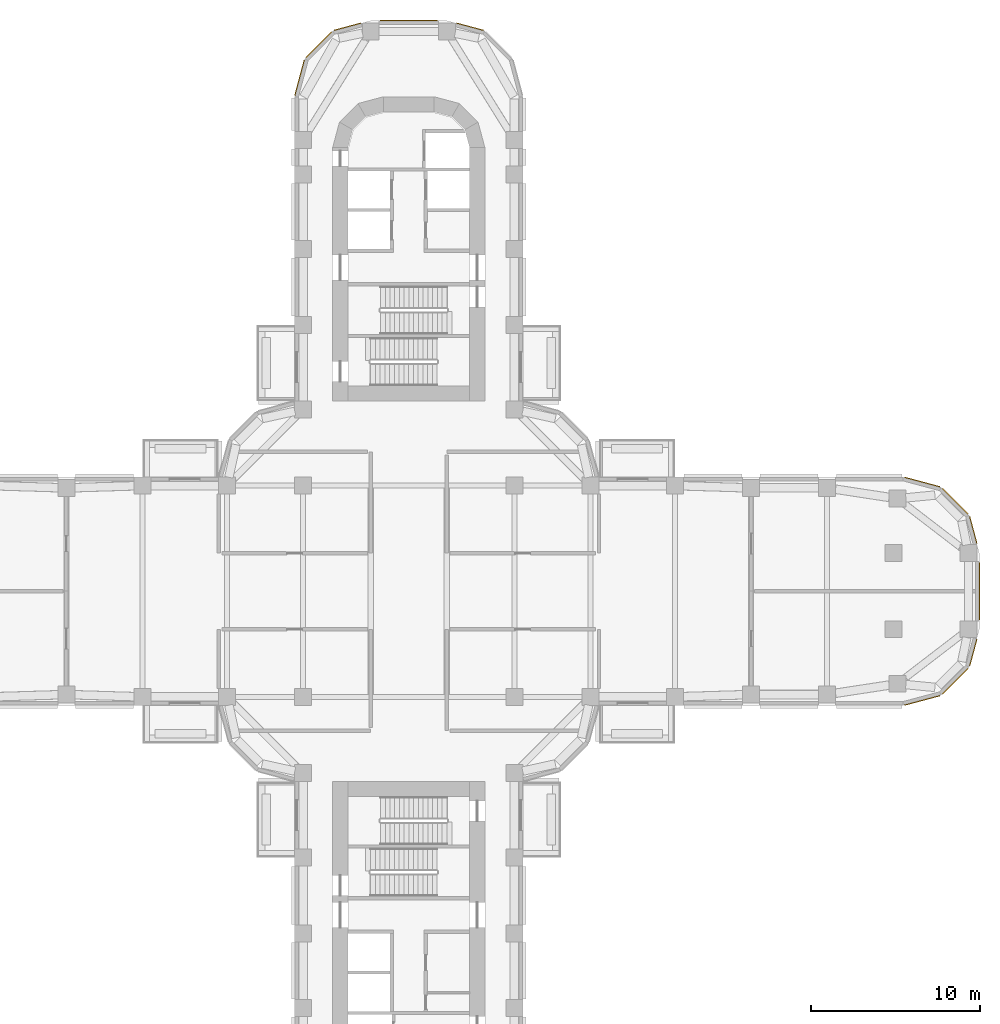
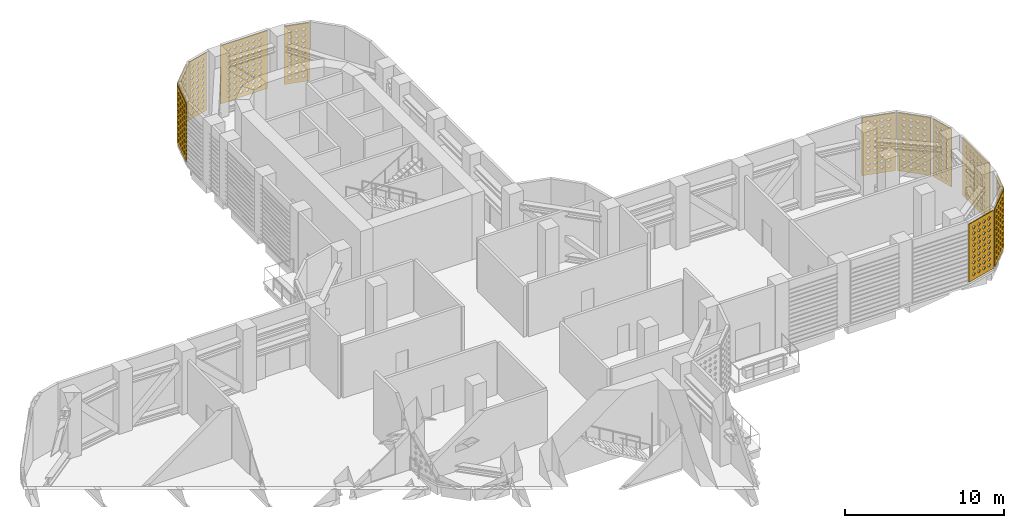
# One storey, part 18 of 20: 12 coverings.
"""IFC4 building model written with IfcOpenShell, lengths in metres."""

from ifc_helpers import new_model, si_unit, direction, frame, origin, place, context, subcontext, project, spatial, polyline, outline, extrude, source, transform, mapped, material, layer, layer_set, type_object, element, save


model = new_model("IFC4")

# Units and contexts
model_context = context("Model", 3, precision=1e-05, world=origin(), true_north=direction((0.0, 1.0)))
body_context = subcontext(model_context, "Body", "Model", "MODEL_VIEW")
ifc_project = project(units=[si_unit("LENGTHUNIT", "METRE"), si_unit("AREAUNIT", "SQUARE_METRE"), si_unit("VOLUMEUNIT", "CUBIC_METRE"), si_unit("PLANEANGLEUNIT", "RADIAN"), si_unit("MASSUNIT", "GRAM", prefix="KILO")], contexts=[model_context])

# Site, building, storey
site_placement = place(None, origin())
site = spatial("IfcSite", under=ifc_project, at=site_placement, CompositionType="ELEMENT")
building_placement = place(site_placement, origin())
building = spatial("IfcBuilding", under=site, at=building_placement, Name="Zarbagh Exchange Tower", CompositionType="ELEMENT")
storey_placement = place(building_placement, frame((0.0, 0.0, 81.60009765625)))
storey = spatial("IfcBuildingStorey", under=building, at=storey_placement, Name="L18", CompositionType="ELEMENT", Elevation=81.60009765625)

# Coverings
ifc_material = material(Name="Glass-fibre reinforced concrete GFRC C50/60", Category="concrete")
ifc_layer = layer(ifc_material, 0.06005859375)
ifc_layer_set = layer_set([ifc_layer], Name="SCREEN jali panel, GFRC")
covering_type = type_object("IfcCoveringType", Name="SCREEN jali panel, GFRC", PredefinedType="CLADDING", material=ifc_layer_set)
shared_shape_1 = source(origin(), body_context, "Body", "SweptSolid", [
    extrude(outline(polyline([(0.0, 0.0), (1.656005859375, 0.0), (1.656005859375, 4.449951171875), (0.0, 4.449951171875), (0.0, 0.0)]), holes=[polyline([(0.22802734375, 0.425048828125), (0.3779296875, 0.27490234375), (0.528076171875, 0.425048828125), (0.3779296875, 0.574951171875), (0.22802734375, 0.425048828125)]), polyline([(0.22802734375, 0.875), (0.3779296875, 0.72509765625), (0.528076171875, 0.875), (0.3779296875, 1.02490234375), (0.22802734375, 0.875)]), polyline([(0.22802734375, 1.324951171875), (0.3779296875, 1.175048828125), (0.528076171875, 1.324951171875), (0.3779296875, 1.47509765625), (0.22802734375, 1.324951171875)]), polyline([(0.22802734375, 1.77490234375), (0.3779296875, 1.625), (0.528076171875, 1.77490234375), (0.3779296875, 1.925048828125), (0.22802734375, 1.77490234375)]), polyline([(0.22802734375, 2.22509765625), (0.3779296875, 2.074951171875), (0.528076171875, 2.22509765625), (0.3779296875, 2.375), (0.22802734375, 2.22509765625)]), polyline([(0.22802734375, 2.675048828125), (0.3779296875, 2.52490234375), (0.528076171875, 2.675048828125), (0.3779296875, 2.824951171875), (0.22802734375, 2.675048828125)]), polyline([(0.22802734375, 3.125), (0.3779296875, 2.97509765625), (0.528076171875, 3.125), (0.3779296875, 3.27490234375), (0.22802734375, 3.125)]), polyline([(0.22802734375, 3.574951171875), (0.3779296875, 3.425048828125), (0.528076171875, 3.574951171875), (0.3779296875, 3.72509765625), (0.22802734375, 3.574951171875)]), polyline([(0.22802734375, 4.02490234375), (0.3779296875, 3.875), (0.528076171875, 4.02490234375), (0.3779296875, 4.175048828125), (0.22802734375, 4.02490234375)]), polyline([(0.677978515625, 0.425048828125), (0.827880859375, 0.27490234375), (0.97802734375, 0.425048828125), (0.827880859375, 0.574951171875), (0.677978515625, 0.425048828125)]), polyline([(0.677978515625, 0.875), (0.827880859375, 0.72509765625), (0.97802734375, 0.875), (0.827880859375, 1.02490234375), (0.677978515625, 0.875)]), polyline([(0.677978515625, 1.324951171875), (0.827880859375, 1.175048828125), (0.97802734375, 1.324951171875), (0.827880859375, 1.47509765625), (0.677978515625, 1.324951171875)]), polyline([(0.677978515625, 1.77490234375), (0.827880859375, 1.625), (0.97802734375, 1.77490234375), (0.827880859375, 1.925048828125), (0.677978515625, 1.77490234375)]), polyline([(0.677978515625, 2.22509765625), (0.827880859375, 2.074951171875), (0.97802734375, 2.22509765625), (0.827880859375, 2.375), (0.677978515625, 2.22509765625)]), polyline([(0.677978515625, 2.675048828125), (0.827880859375, 2.52490234375), (0.97802734375, 2.675048828125), (0.827880859375, 2.824951171875), (0.677978515625, 2.675048828125)]), polyline([(0.677978515625, 3.125), (0.827880859375, 2.97509765625), (0.97802734375, 3.125), (0.827880859375, 3.27490234375), (0.677978515625, 3.125)]), polyline([(0.677978515625, 3.574951171875), (0.827880859375, 3.425048828125), (0.97802734375, 3.574951171875), (0.827880859375, 3.72509765625), (0.677978515625, 3.574951171875)]), polyline([(0.677978515625, 4.02490234375), (0.827880859375, 3.875), (0.97802734375, 4.02490234375), (0.827880859375, 4.175048828125), (0.677978515625, 4.02490234375)]), polyline([(1.1279296875, 0.425048828125), (1.278076171875, 0.27490234375), (1.427978515625, 0.425048828125), (1.278076171875, 0.574951171875), (1.1279296875, 0.425048828125)]), polyline([(1.1279296875, 0.875), (1.278076171875, 0.72509765625), (1.427978515625, 0.875), (1.278076171875, 1.02490234375), (1.1279296875, 0.875)]), polyline([(1.1279296875, 1.324951171875), (1.278076171875, 1.175048828125), (1.427978515625, 1.324951171875), (1.278076171875, 1.47509765625), (1.1279296875, 1.324951171875)]), polyline([(1.1279296875, 1.77490234375), (1.278076171875, 1.625), (1.427978515625, 1.77490234375), (1.278076171875, 1.925048828125), (1.1279296875, 1.77490234375)]), polyline([(1.1279296875, 2.22509765625), (1.278076171875, 2.074951171875), (1.427978515625, 2.22509765625), (1.278076171875, 2.375), (1.1279296875, 2.22509765625)]), polyline([(1.1279296875, 2.675048828125), (1.278076171875, 2.52490234375), (1.427978515625, 2.675048828125), (1.278076171875, 2.824951171875), (1.1279296875, 2.675048828125)]), polyline([(1.1279296875, 3.125), (1.278076171875, 2.97509765625), (1.427978515625, 3.125), (1.278076171875, 3.27490234375), (1.1279296875, 3.125)]), polyline([(1.1279296875, 3.574951171875), (1.278076171875, 3.425048828125), (1.427978515625, 3.574951171875), (1.278076171875, 3.72509765625), (1.1279296875, 3.574951171875)]), polyline([(1.1279296875, 4.02490234375), (1.278076171875, 3.875), (1.427978515625, 4.02490234375), (1.278076171875, 4.175048828125), (1.1279296875, 4.02490234375)])]), origin(), (0.0, 0.0, 1.0), 0.06005859375),
])
placement = place(storey_placement, origin())
element("IfcCovering", 1, at=placement, inside=storey, type_object=covering_type, Name="JS09 jali screen", PredefinedType="CLADDING", context=body_context, shape_type="MappedRepresentation", body=[
    mapped(shared_shape_1, transform((33.14892578125, -4.41552734375, 0.199951171875), x_axis=(0.258825057666, 0.965924215207, 0.0), y_axis=(0.0, 0.0, 1.0), z_axis=(0.965924215207, -0.258825057666, 0.0))),
])
element("IfcCovering", 2, at=placement, inside=storey, type_object=covering_type, Name="JS11 jali screen", PredefinedType="CLADDING", context=body_context, shape_type="MappedRepresentation", body=[
    mapped(shared_shape_1, transform((33.57763671875, 2.81591796875, 0.199951171875), x_axis=(-0.258825057666, 0.965924215207, 0.0), y_axis=(0.0, 0.0, 1.0), z_axis=(0.965924215207, 0.258825057666, 0.0))),
])
element("IfcCovering", 3, at=placement, inside=storey, type_object=covering_type, Name="JS19 jali screen", PredefinedType="CLADDING", context=body_context, shape_type="MappedRepresentation", body=[
    mapped(shared_shape_1, transform((4.41552734375, 33.14892578125, 0.199951171875), x_axis=(-0.965924215207, 0.258825057666, 0.0), y_axis=(0.0, 0.0, 1.0), z_axis=(0.258825057666, 0.965924215207, 0.0))),
])
element("IfcCovering", 4, at=placement, inside=storey, type_object=covering_type, Name="JS21 jali screen", PredefinedType="CLADDING", context=body_context, shape_type="MappedRepresentation", body=[
    mapped(shared_shape_1, transform((-2.81591796875, 33.57763671875, 0.199951171875), x_axis=(-0.965924215207, -0.258825057666, 0.0), y_axis=(0.0, 0.0, 1.0), z_axis=(-0.258825057666, 0.965924215207, 0.0))),
])
shared_shape_2 = source(origin(), body_context, "Body", "SweptSolid", [
    extrude(outline(polyline([(0.0, 0.0), (2.1650390625, 0.0), (2.1650390625, 4.449951171875), (0.0, 4.449951171875), (0.0, 0.0)]), holes=[polyline([(0.257568359375, 0.425048828125), (0.407470703125, 0.27490234375), (0.5576171875, 0.425048828125), (0.407470703125, 0.574951171875), (0.257568359375, 0.425048828125)]), polyline([(0.257568359375, 0.875), (0.407470703125, 0.72509765625), (0.5576171875, 0.875), (0.407470703125, 1.02490234375), (0.257568359375, 0.875)]), polyline([(0.257568359375, 1.324951171875), (0.407470703125, 1.175048828125), (0.5576171875, 1.324951171875), (0.407470703125, 1.47509765625), (0.257568359375, 1.324951171875)]), polyline([(0.257568359375, 1.77490234375), (0.407470703125, 1.625), (0.5576171875, 1.77490234375), (0.407470703125, 1.925048828125), (0.257568359375, 1.77490234375)]), polyline([(0.257568359375, 2.22509765625), (0.407470703125, 2.074951171875), (0.5576171875, 2.22509765625), (0.407470703125, 2.375), (0.257568359375, 2.22509765625)]), polyline([(0.257568359375, 2.675048828125), (0.407470703125, 2.52490234375), (0.5576171875, 2.675048828125), (0.407470703125, 2.824951171875), (0.257568359375, 2.675048828125)]), polyline([(0.257568359375, 3.125), (0.407470703125, 2.97509765625), (0.5576171875, 3.125), (0.407470703125, 3.27490234375), (0.257568359375, 3.125)]), polyline([(0.257568359375, 3.574951171875), (0.407470703125, 3.425048828125), (0.5576171875, 3.574951171875), (0.407470703125, 3.72509765625), (0.257568359375, 3.574951171875)]), polyline([(0.257568359375, 4.02490234375), (0.407470703125, 3.875), (0.5576171875, 4.02490234375), (0.407470703125, 4.175048828125), (0.257568359375, 4.02490234375)]), polyline([(0.70751953125, 0.425048828125), (0.857421875, 0.27490234375), (1.007568359375, 0.425048828125), (0.857421875, 0.574951171875), (0.70751953125, 0.425048828125)]), polyline([(0.70751953125, 0.875), (0.857421875, 0.72509765625), (1.007568359375, 0.875), (0.857421875, 1.02490234375), (0.70751953125, 0.875)]), polyline([(0.70751953125, 1.324951171875), (0.857421875, 1.175048828125), (1.007568359375, 1.324951171875), (0.857421875, 1.47509765625), (0.70751953125, 1.324951171875)]), polyline([(0.70751953125, 1.77490234375), (0.857421875, 1.625), (1.007568359375, 1.77490234375), (0.857421875, 1.925048828125), (0.70751953125, 1.77490234375)]), polyline([(0.70751953125, 2.22509765625), (0.857421875, 2.074951171875), (1.007568359375, 2.22509765625), (0.857421875, 2.375), (0.70751953125, 2.22509765625)]), polyline([(0.70751953125, 2.675048828125), (0.857421875, 2.52490234375), (1.007568359375, 2.675048828125), (0.857421875, 2.824951171875), (0.70751953125, 2.675048828125)]), polyline([(0.70751953125, 3.125), (0.857421875, 2.97509765625), (1.007568359375, 3.125), (0.857421875, 3.27490234375), (0.70751953125, 3.125)]), polyline([(0.70751953125, 3.574951171875), (0.857421875, 3.425048828125), (1.007568359375, 3.574951171875), (0.857421875, 3.72509765625), (0.70751953125, 3.574951171875)]), polyline([(0.70751953125, 4.02490234375), (0.857421875, 3.875), (1.007568359375, 4.02490234375), (0.857421875, 4.175048828125), (0.70751953125, 4.02490234375)]), polyline([(1.157470703125, 0.425048828125), (1.3076171875, 0.27490234375), (1.45751953125, 0.425048828125), (1.3076171875, 0.574951171875), (1.157470703125, 0.425048828125)]), polyline([(1.157470703125, 0.875), (1.3076171875, 0.72509765625), (1.45751953125, 0.875), (1.3076171875, 1.02490234375), (1.157470703125, 0.875)]), polyline([(1.157470703125, 1.324951171875), (1.3076171875, 1.175048828125), (1.45751953125, 1.324951171875), (1.3076171875, 1.47509765625), (1.157470703125, 1.324951171875)]), polyline([(1.157470703125, 1.77490234375), (1.3076171875, 1.625), (1.45751953125, 1.77490234375), (1.3076171875, 1.925048828125), (1.157470703125, 1.77490234375)]), polyline([(1.157470703125, 2.22509765625), (1.3076171875, 2.074951171875), (1.45751953125, 2.22509765625), (1.3076171875, 2.375), (1.157470703125, 2.22509765625)]), polyline([(1.157470703125, 2.675048828125), (1.3076171875, 2.52490234375), (1.45751953125, 2.675048828125), (1.3076171875, 2.824951171875), (1.157470703125, 2.675048828125)]), polyline([(1.157470703125, 3.125), (1.3076171875, 2.97509765625), (1.45751953125, 3.125), (1.3076171875, 3.27490234375), (1.157470703125, 3.125)]), polyline([(1.157470703125, 3.574951171875), (1.3076171875, 3.425048828125), (1.45751953125, 3.574951171875), (1.3076171875, 3.72509765625), (1.157470703125, 3.574951171875)]), polyline([(1.157470703125, 4.02490234375), (1.3076171875, 3.875), (1.45751953125, 4.02490234375), (1.3076171875, 4.175048828125), (1.157470703125, 4.02490234375)]), polyline([(1.607421875, 0.425048828125), (1.757568359375, 0.27490234375), (1.907470703125, 0.425048828125), (1.757568359375, 0.574951171875), (1.607421875, 0.425048828125)]), polyline([(1.607421875, 0.875), (1.757568359375, 0.72509765625), (1.907470703125, 0.875), (1.757568359375, 1.02490234375), (1.607421875, 0.875)]), polyline([(1.607421875, 1.324951171875), (1.757568359375, 1.175048828125), (1.907470703125, 1.324951171875), (1.757568359375, 1.47509765625), (1.607421875, 1.324951171875)]), polyline([(1.607421875, 1.77490234375), (1.757568359375, 1.625), (1.907470703125, 1.77490234375), (1.757568359375, 1.925048828125), (1.607421875, 1.77490234375)]), polyline([(1.607421875, 2.22509765625), (1.757568359375, 2.074951171875), (1.907470703125, 2.22509765625), (1.757568359375, 2.375), (1.607421875, 2.22509765625)]), polyline([(1.607421875, 2.675048828125), (1.757568359375, 2.52490234375), (1.907470703125, 2.675048828125), (1.757568359375, 2.824951171875), (1.607421875, 2.675048828125)]), polyline([(1.607421875, 3.125), (1.757568359375, 2.97509765625), (1.907470703125, 3.125), (1.757568359375, 3.27490234375), (1.607421875, 3.125)]), polyline([(1.607421875, 3.574951171875), (1.757568359375, 3.425048828125), (1.907470703125, 3.574951171875), (1.757568359375, 3.72509765625), (1.607421875, 3.574951171875)]), polyline([(1.607421875, 4.02490234375), (1.757568359375, 3.875), (1.907470703125, 4.02490234375), (1.757568359375, 4.175048828125), (1.607421875, 4.02490234375)])]), origin(), (0.0, 0.0, 1.0), 0.06005859375),
])
element("IfcCovering", 5, at=placement, inside=storey, type_object=covering_type, Name="JS08 jali screen", PredefinedType="CLADDING", context=body_context, shape_type="MappedRepresentation", body=[
    mapped(shared_shape_2, transform((31.5439453125, -6.074951171875, 0.199951171875), x_axis=(0.707106781187, 0.707106781187, 0.0), y_axis=(0.0, 0.0, 1.0), z_axis=(0.707106781187, -0.707106781187, 0.0))),
])
element("IfcCovering", 6, at=placement, inside=storey, type_object=covering_type, Name="JS12 jali screen", PredefinedType="CLADDING", context=body_context, shape_type="MappedRepresentation", body=[
    mapped(shared_shape_2, transform((33.074951171875, 4.5439453125, 0.199951171875), x_axis=(-0.707106781187, 0.707106781187, 0.0), y_axis=(0.0, 0.0, 1.0), z_axis=(0.707106781187, 0.707106781187, 0.0))),
])
element("IfcCovering", 7, at=placement, inside=storey, type_object=covering_type, Name="JS22 jali screen", PredefinedType="CLADDING", context=body_context, shape_type="MappedRepresentation", body=[
    mapped(shared_shape_2, transform((-4.5439453125, 33.074951171875, 0.199951171875), x_axis=(-0.707106781187, -0.707106781187, 0.0), y_axis=(0.0, 0.0, 1.0), z_axis=(-0.707106781187, 0.707106781187, 0.0))),
])
shared_shape_3 = source(origin(), body_context, "Body", "SweptSolid", [
    extrude(outline(polyline([(0.0, 0.0), (2.181396484375, 0.0), (2.181396484375, 4.449951171875), (0.0, 4.449951171875), (0.0, 0.0)]), holes=[polyline([(0.265625, 0.425048828125), (0.415771484375, 0.27490234375), (0.565673828125, 0.425048828125), (0.415771484375, 0.574951171875), (0.265625, 0.425048828125)]), polyline([(0.265625, 0.875), (0.415771484375, 0.72509765625), (0.565673828125, 0.875), (0.415771484375, 1.02490234375), (0.265625, 0.875)]), polyline([(0.265625, 1.324951171875), (0.415771484375, 1.175048828125), (0.565673828125, 1.324951171875), (0.415771484375, 1.47509765625), (0.265625, 1.324951171875)]), polyline([(0.265625, 1.77490234375), (0.415771484375, 1.625), (0.565673828125, 1.77490234375), (0.415771484375, 1.925048828125), (0.265625, 1.77490234375)]), polyline([(0.265625, 2.22509765625), (0.415771484375, 2.074951171875), (0.565673828125, 2.22509765625), (0.415771484375, 2.375), (0.265625, 2.22509765625)]), polyline([(0.265625, 2.675048828125), (0.415771484375, 2.52490234375), (0.565673828125, 2.675048828125), (0.415771484375, 2.824951171875), (0.265625, 2.675048828125)]), polyline([(0.265625, 3.125), (0.415771484375, 2.97509765625), (0.565673828125, 3.125), (0.415771484375, 3.27490234375), (0.265625, 3.125)]), polyline([(0.265625, 3.574951171875), (0.415771484375, 3.425048828125), (0.565673828125, 3.574951171875), (0.415771484375, 3.72509765625), (0.265625, 3.574951171875)]), polyline([(0.265625, 4.02490234375), (0.415771484375, 3.875), (0.565673828125, 4.02490234375), (0.415771484375, 4.175048828125), (0.265625, 4.02490234375)]), polyline([(0.7158203125, 0.425048828125), (0.86572265625, 0.27490234375), (1.015625, 0.425048828125), (0.86572265625, 0.574951171875), (0.7158203125, 0.425048828125)]), polyline([(0.7158203125, 0.875), (0.86572265625, 0.72509765625), (1.015625, 0.875), (0.86572265625, 1.02490234375), (0.7158203125, 0.875)]), polyline([(0.7158203125, 1.324951171875), (0.86572265625, 1.175048828125), (1.015625, 1.324951171875), (0.86572265625, 1.47509765625), (0.7158203125, 1.324951171875)]), polyline([(0.7158203125, 1.77490234375), (0.86572265625, 1.625), (1.015625, 1.77490234375), (0.86572265625, 1.925048828125), (0.7158203125, 1.77490234375)]), polyline([(0.7158203125, 2.22509765625), (0.86572265625, 2.074951171875), (1.015625, 2.22509765625), (0.86572265625, 2.375), (0.7158203125, 2.22509765625)]), polyline([(0.7158203125, 2.675048828125), (0.86572265625, 2.52490234375), (1.015625, 2.675048828125), (0.86572265625, 2.824951171875), (0.7158203125, 2.675048828125)]), polyline([(0.7158203125, 3.125), (0.86572265625, 2.97509765625), (1.015625, 3.125), (0.86572265625, 3.27490234375), (0.7158203125, 3.125)]), polyline([(0.7158203125, 3.574951171875), (0.86572265625, 3.425048828125), (1.015625, 3.574951171875), (0.86572265625, 3.72509765625), (0.7158203125, 3.574951171875)]), polyline([(0.7158203125, 4.02490234375), (0.86572265625, 3.875), (1.015625, 4.02490234375), (0.86572265625, 4.175048828125), (0.7158203125, 4.02490234375)]), polyline([(1.165771484375, 0.425048828125), (1.315673828125, 0.27490234375), (1.4658203125, 0.425048828125), (1.315673828125, 0.574951171875), (1.165771484375, 0.425048828125)]), polyline([(1.165771484375, 0.875), (1.315673828125, 0.72509765625), (1.4658203125, 0.875), (1.315673828125, 1.02490234375), (1.165771484375, 0.875)]), polyline([(1.165771484375, 1.324951171875), (1.315673828125, 1.175048828125), (1.4658203125, 1.324951171875), (1.315673828125, 1.47509765625), (1.165771484375, 1.324951171875)]), polyline([(1.165771484375, 1.77490234375), (1.315673828125, 1.625), (1.4658203125, 1.77490234375), (1.315673828125, 1.925048828125), (1.165771484375, 1.77490234375)]), polyline([(1.165771484375, 2.22509765625), (1.315673828125, 2.074951171875), (1.4658203125, 2.22509765625), (1.315673828125, 2.375), (1.165771484375, 2.22509765625)]), polyline([(1.165771484375, 2.675048828125), (1.315673828125, 2.52490234375), (1.4658203125, 2.675048828125), (1.315673828125, 2.824951171875), (1.165771484375, 2.675048828125)]), polyline([(1.165771484375, 3.125), (1.315673828125, 2.97509765625), (1.4658203125, 3.125), (1.315673828125, 3.27490234375), (1.165771484375, 3.125)]), polyline([(1.165771484375, 3.574951171875), (1.315673828125, 3.425048828125), (1.4658203125, 3.574951171875), (1.315673828125, 3.72509765625), (1.165771484375, 3.574951171875)]), polyline([(1.165771484375, 4.02490234375), (1.315673828125, 3.875), (1.4658203125, 4.02490234375), (1.315673828125, 4.175048828125), (1.165771484375, 4.02490234375)]), polyline([(1.61572265625, 0.425048828125), (1.765625, 0.27490234375), (1.915771484375, 0.425048828125), (1.765625, 0.574951171875), (1.61572265625, 0.425048828125)]), polyline([(1.61572265625, 0.875), (1.765625, 0.72509765625), (1.915771484375, 0.875), (1.765625, 1.02490234375), (1.61572265625, 0.875)]), polyline([(1.61572265625, 1.324951171875), (1.765625, 1.175048828125), (1.915771484375, 1.324951171875), (1.765625, 1.47509765625), (1.61572265625, 1.324951171875)]), polyline([(1.61572265625, 1.77490234375), (1.765625, 1.625), (1.915771484375, 1.77490234375), (1.765625, 1.925048828125), (1.61572265625, 1.77490234375)]), polyline([(1.61572265625, 2.22509765625), (1.765625, 2.074951171875), (1.915771484375, 2.22509765625), (1.765625, 2.375), (1.61572265625, 2.22509765625)]), polyline([(1.61572265625, 2.675048828125), (1.765625, 2.52490234375), (1.915771484375, 2.675048828125), (1.765625, 2.824951171875), (1.61572265625, 2.675048828125)]), polyline([(1.61572265625, 3.125), (1.765625, 2.97509765625), (1.915771484375, 3.125), (1.765625, 3.27490234375), (1.61572265625, 3.125)]), polyline([(1.61572265625, 3.574951171875), (1.765625, 3.425048828125), (1.915771484375, 3.574951171875), (1.765625, 3.72509765625), (1.61572265625, 3.574951171875)]), polyline([(1.61572265625, 4.02490234375), (1.765625, 3.875), (1.915771484375, 4.02490234375), (1.765625, 4.175048828125), (1.61572265625, 4.02490234375)])]), origin(), (0.0, 0.0, 1.0), 0.06005859375),
])
element("IfcCovering", 8, at=placement, inside=storey, type_object=covering_type, Name="JS07 jali screen", PredefinedType="CLADDING", context=body_context, shape_type="MappedRepresentation", body=[
    mapped(shared_shape_3, transform((29.308349609375, -6.713623046875, 0.199951171875), x_axis=(0.965924215207, 0.258825057666, 0.0), y_axis=(0.0, 0.0, 1.0), z_axis=(0.258825057666, -0.965924215207, 0.0))),
])
element("IfcCovering", 9, at=placement, inside=storey, type_object=covering_type, Name="JS13 jali screen", PredefinedType="CLADDING", context=body_context, shape_type="MappedRepresentation", body=[
    mapped(shared_shape_3, transform((31.41552734375, 6.14892578125, 0.199951171875), x_axis=(-0.965924215207, 0.258825057666, 0.0), y_axis=(0.0, 0.0, 1.0), z_axis=(0.258825057666, 0.965924215207, 0.0))),
])
element("IfcCovering", 10, at=placement, inside=storey, type_object=covering_type, Name="JS23 jali screen", PredefinedType="CLADDING", context=body_context, shape_type="MappedRepresentation", body=[
    mapped(shared_shape_3, transform((-6.14892578125, 31.41552734375, 0.199951171875), x_axis=(-0.258825057666, -0.965924215207, 0.0), y_axis=(0.0, 0.0, 1.0), z_axis=(-0.965924215207, 0.258825057666, 0.0))),
])
shared_shape_4 = source(origin(), body_context, "Body", "SweptSolid", [
    extrude(outline(polyline([(0.0, 0.0), (3.419921875, 0.0), (3.419921875, 4.449951171875), (0.0, 4.449951171875), (0.0, 0.0)]), holes=[polyline([(0.43505859375, 0.425048828125), (0.5849609375, 0.27490234375), (0.735107421875, 0.425048828125), (0.5849609375, 0.574951171875), (0.43505859375, 0.425048828125)]), polyline([(0.43505859375, 0.875), (0.5849609375, 0.72509765625), (0.735107421875, 0.875), (0.5849609375, 1.02490234375), (0.43505859375, 0.875)]), polyline([(0.43505859375, 1.324951171875), (0.5849609375, 1.175048828125), (0.735107421875, 1.324951171875), (0.5849609375, 1.47509765625), (0.43505859375, 1.324951171875)]), polyline([(0.43505859375, 1.77490234375), (0.5849609375, 1.625), (0.735107421875, 1.77490234375), (0.5849609375, 1.925048828125), (0.43505859375, 1.77490234375)]), polyline([(0.43505859375, 2.22509765625), (0.5849609375, 2.074951171875), (0.735107421875, 2.22509765625), (0.5849609375, 2.375), (0.43505859375, 2.22509765625)]), polyline([(0.43505859375, 2.675048828125), (0.5849609375, 2.52490234375), (0.735107421875, 2.675048828125), (0.5849609375, 2.824951171875), (0.43505859375, 2.675048828125)]), polyline([(0.43505859375, 3.125), (0.5849609375, 2.97509765625), (0.735107421875, 3.125), (0.5849609375, 3.27490234375), (0.43505859375, 3.125)]), polyline([(0.43505859375, 3.574951171875), (0.5849609375, 3.425048828125), (0.735107421875, 3.574951171875), (0.5849609375, 3.72509765625), (0.43505859375, 3.574951171875)]), polyline([(0.43505859375, 4.02490234375), (0.5849609375, 3.875), (0.735107421875, 4.02490234375), (0.5849609375, 4.175048828125), (0.43505859375, 4.02490234375)]), polyline([(0.885009765625, 0.425048828125), (1.034912109375, 0.27490234375), (1.18505859375, 0.425048828125), (1.034912109375, 0.574951171875), (0.885009765625, 0.425048828125)]), polyline([(0.885009765625, 0.875), (1.034912109375, 0.72509765625), (1.18505859375, 0.875), (1.034912109375, 1.02490234375), (0.885009765625, 0.875)]), polyline([(0.885009765625, 1.324951171875), (1.034912109375, 1.175048828125), (1.18505859375, 1.324951171875), (1.034912109375, 1.47509765625), (0.885009765625, 1.324951171875)]), polyline([(0.885009765625, 1.77490234375), (1.034912109375, 1.625), (1.18505859375, 1.77490234375), (1.034912109375, 1.925048828125), (0.885009765625, 1.77490234375)]), polyline([(0.885009765625, 2.22509765625), (1.034912109375, 2.074951171875), (1.18505859375, 2.22509765625), (1.034912109375, 2.375), (0.885009765625, 2.22509765625)]), polyline([(0.885009765625, 2.675048828125), (1.034912109375, 2.52490234375), (1.18505859375, 2.675048828125), (1.034912109375, 2.824951171875), (0.885009765625, 2.675048828125)]), polyline([(0.885009765625, 3.125), (1.034912109375, 2.97509765625), (1.18505859375, 3.125), (1.034912109375, 3.27490234375), (0.885009765625, 3.125)]), polyline([(0.885009765625, 3.574951171875), (1.034912109375, 3.425048828125), (1.18505859375, 3.574951171875), (1.034912109375, 3.72509765625), (0.885009765625, 3.574951171875)]), polyline([(0.885009765625, 4.02490234375), (1.034912109375, 3.875), (1.18505859375, 4.02490234375), (1.034912109375, 4.175048828125), (0.885009765625, 4.02490234375)]), polyline([(1.3349609375, 0.425048828125), (1.485107421875, 0.27490234375), (1.635009765625, 0.425048828125), (1.485107421875, 0.574951171875), (1.3349609375, 0.425048828125)]), polyline([(1.3349609375, 0.875), (1.485107421875, 0.72509765625), (1.635009765625, 0.875), (1.485107421875, 1.02490234375), (1.3349609375, 0.875)]), polyline([(1.3349609375, 1.324951171875), (1.485107421875, 1.175048828125), (1.635009765625, 1.324951171875), (1.485107421875, 1.47509765625), (1.3349609375, 1.324951171875)]), polyline([(1.3349609375, 1.77490234375), (1.485107421875, 1.625), (1.635009765625, 1.77490234375), (1.485107421875, 1.925048828125), (1.3349609375, 1.77490234375)]), polyline([(1.3349609375, 2.22509765625), (1.485107421875, 2.074951171875), (1.635009765625, 2.22509765625), (1.485107421875, 2.375), (1.3349609375, 2.22509765625)]), polyline([(1.3349609375, 2.675048828125), (1.485107421875, 2.52490234375), (1.635009765625, 2.675048828125), (1.485107421875, 2.824951171875), (1.3349609375, 2.675048828125)]), polyline([(1.3349609375, 3.125), (1.485107421875, 2.97509765625), (1.635009765625, 3.125), (1.485107421875, 3.27490234375), (1.3349609375, 3.125)]), polyline([(1.3349609375, 3.574951171875), (1.485107421875, 3.425048828125), (1.635009765625, 3.574951171875), (1.485107421875, 3.72509765625), (1.3349609375, 3.574951171875)]), polyline([(1.3349609375, 4.02490234375), (1.485107421875, 3.875), (1.635009765625, 4.02490234375), (1.485107421875, 4.175048828125), (1.3349609375, 4.02490234375)]), polyline([(1.784912109375, 0.425048828125), (1.93505859375, 0.27490234375), (2.0849609375, 0.425048828125), (1.93505859375, 0.574951171875), (1.784912109375, 0.425048828125)]), polyline([(1.784912109375, 0.875), (1.93505859375, 0.72509765625), (2.0849609375, 0.875), (1.93505859375, 1.02490234375), (1.784912109375, 0.875)]), polyline([(1.784912109375, 1.324951171875), (1.93505859375, 1.175048828125), (2.0849609375, 1.324951171875), (1.93505859375, 1.47509765625), (1.784912109375, 1.324951171875)]), polyline([(1.784912109375, 1.77490234375), (1.93505859375, 1.625), (2.0849609375, 1.77490234375), (1.93505859375, 1.925048828125), (1.784912109375, 1.77490234375)]), polyline([(1.784912109375, 2.22509765625), (1.93505859375, 2.074951171875), (2.0849609375, 2.22509765625), (1.93505859375, 2.375), (1.784912109375, 2.22509765625)]), polyline([(1.784912109375, 2.675048828125), (1.93505859375, 2.52490234375), (2.0849609375, 2.675048828125), (1.93505859375, 2.824951171875), (1.784912109375, 2.675048828125)]), polyline([(1.784912109375, 3.125), (1.93505859375, 2.97509765625), (2.0849609375, 3.125), (1.93505859375, 3.27490234375), (1.784912109375, 3.125)]), polyline([(1.784912109375, 3.574951171875), (1.93505859375, 3.425048828125), (2.0849609375, 3.574951171875), (1.93505859375, 3.72509765625), (1.784912109375, 3.574951171875)]), polyline([(1.784912109375, 4.02490234375), (1.93505859375, 3.875), (2.0849609375, 4.02490234375), (1.93505859375, 4.175048828125), (1.784912109375, 4.02490234375)]), polyline([(2.235107421875, 0.425048828125), (2.385009765625, 0.27490234375), (2.534912109375, 0.425048828125), (2.385009765625, 0.574951171875), (2.235107421875, 0.425048828125)]), polyline([(2.235107421875, 0.875), (2.385009765625, 0.72509765625), (2.534912109375, 0.875), (2.385009765625, 1.02490234375), (2.235107421875, 0.875)]), polyline([(2.235107421875, 1.324951171875), (2.385009765625, 1.175048828125), (2.534912109375, 1.324951171875), (2.385009765625, 1.47509765625), (2.235107421875, 1.324951171875)]), polyline([(2.235107421875, 1.77490234375), (2.385009765625, 1.625), (2.534912109375, 1.77490234375), (2.385009765625, 1.925048828125), (2.235107421875, 1.77490234375)]), polyline([(2.235107421875, 2.22509765625), (2.385009765625, 2.074951171875), (2.534912109375, 2.22509765625), (2.385009765625, 2.375), (2.235107421875, 2.22509765625)]), polyline([(2.235107421875, 2.675048828125), (2.385009765625, 2.52490234375), (2.534912109375, 2.675048828125), (2.385009765625, 2.824951171875), (2.235107421875, 2.675048828125)]), polyline([(2.235107421875, 3.125), (2.385009765625, 2.97509765625), (2.534912109375, 3.125), (2.385009765625, 3.27490234375), (2.235107421875, 3.125)]), polyline([(2.235107421875, 3.574951171875), (2.385009765625, 3.425048828125), (2.534912109375, 3.574951171875), (2.385009765625, 3.72509765625), (2.235107421875, 3.574951171875)]), polyline([(2.235107421875, 4.02490234375), (2.385009765625, 3.875), (2.534912109375, 4.02490234375), (2.385009765625, 4.175048828125), (2.235107421875, 4.02490234375)]), polyline([(2.68505859375, 0.425048828125), (2.8349609375, 0.27490234375), (2.985107421875, 0.425048828125), (2.8349609375, 0.574951171875), (2.68505859375, 0.425048828125)]), polyline([(2.68505859375, 0.875), (2.8349609375, 0.72509765625), (2.985107421875, 0.875), (2.8349609375, 1.02490234375), (2.68505859375, 0.875)]), polyline([(2.68505859375, 1.324951171875), (2.8349609375, 1.175048828125), (2.985107421875, 1.324951171875), (2.8349609375, 1.47509765625), (2.68505859375, 1.324951171875)]), polyline([(2.68505859375, 1.77490234375), (2.8349609375, 1.625), (2.985107421875, 1.77490234375), (2.8349609375, 1.925048828125), (2.68505859375, 1.77490234375)]), polyline([(2.68505859375, 2.22509765625), (2.8349609375, 2.074951171875), (2.985107421875, 2.22509765625), (2.8349609375, 2.375), (2.68505859375, 2.22509765625)]), polyline([(2.68505859375, 2.675048828125), (2.8349609375, 2.52490234375), (2.985107421875, 2.675048828125), (2.8349609375, 2.824951171875), (2.68505859375, 2.675048828125)]), polyline([(2.68505859375, 3.125), (2.8349609375, 2.97509765625), (2.985107421875, 3.125), (2.8349609375, 3.27490234375), (2.68505859375, 3.125)]), polyline([(2.68505859375, 3.574951171875), (2.8349609375, 3.425048828125), (2.985107421875, 3.574951171875), (2.8349609375, 3.72509765625), (2.68505859375, 3.574951171875)]), polyline([(2.68505859375, 4.02490234375), (2.8349609375, 3.875), (2.985107421875, 4.02490234375), (2.8349609375, 4.175048828125), (2.68505859375, 4.02490234375)])]), origin(), (0.0, 0.0, 1.0), 0.06005859375),
])
element("IfcCovering", 11, at=placement, inside=storey, type_object=covering_type, Name="JS10 jali screen", PredefinedType="CLADDING", context=body_context, shape_type="MappedRepresentation", body=[
    mapped(shared_shape_4, transform((33.72998046875, -1.7099609375, 0.199951171875), x_axis=(0.0, 1.0, 0.0), y_axis=(0.0, 0.0, 1.0), z_axis=(1.0, 0.0, 0.0))),
])
element("IfcCovering", 12, at=placement, inside=storey, type_object=covering_type, Name="JS20 jali screen", PredefinedType="CLADDING", context=body_context, shape_type="MappedRepresentation", body=[
    mapped(shared_shape_4, transform((1.7099609375, 33.72998046875, 0.199951171875), x_axis=(-1.0, 0.0, 0.0), y_axis=(0.0, 0.0, 1.0), z_axis=(0.0, 1.0, 0.0))),
])

save(model, "model.ifc")
